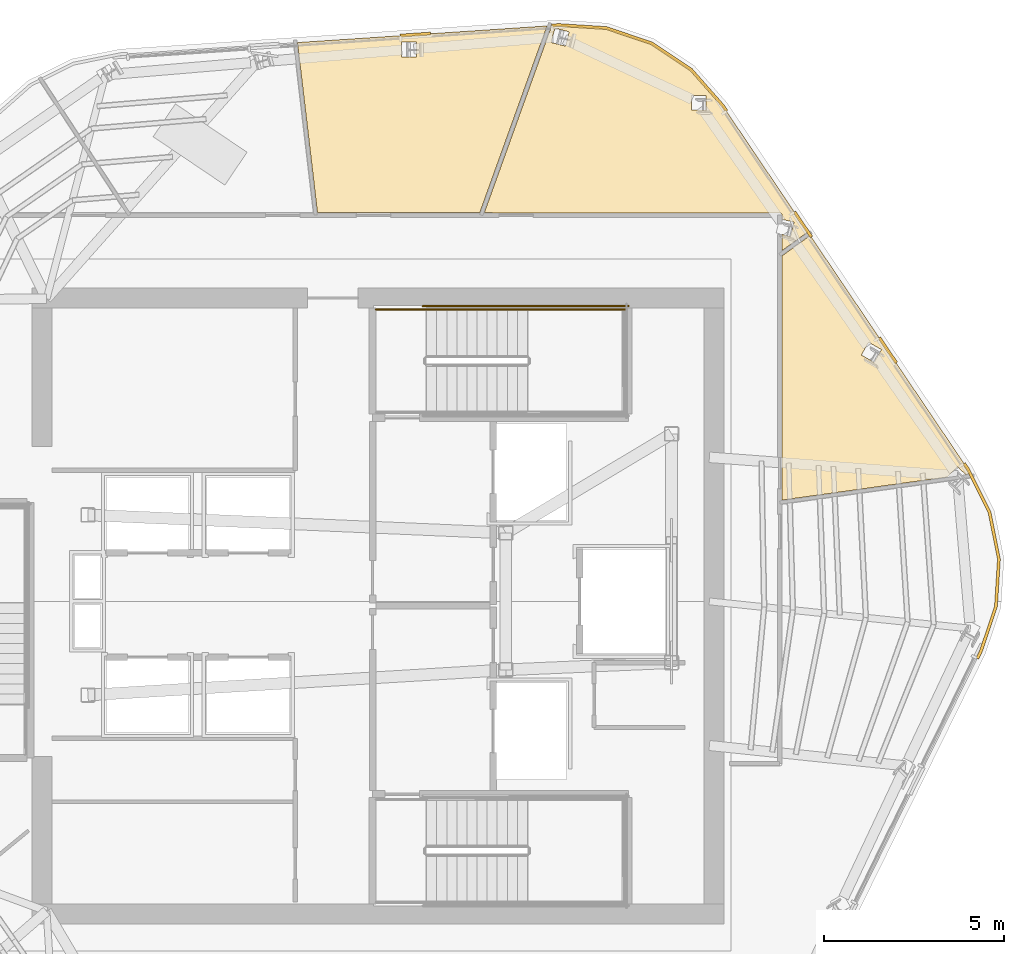
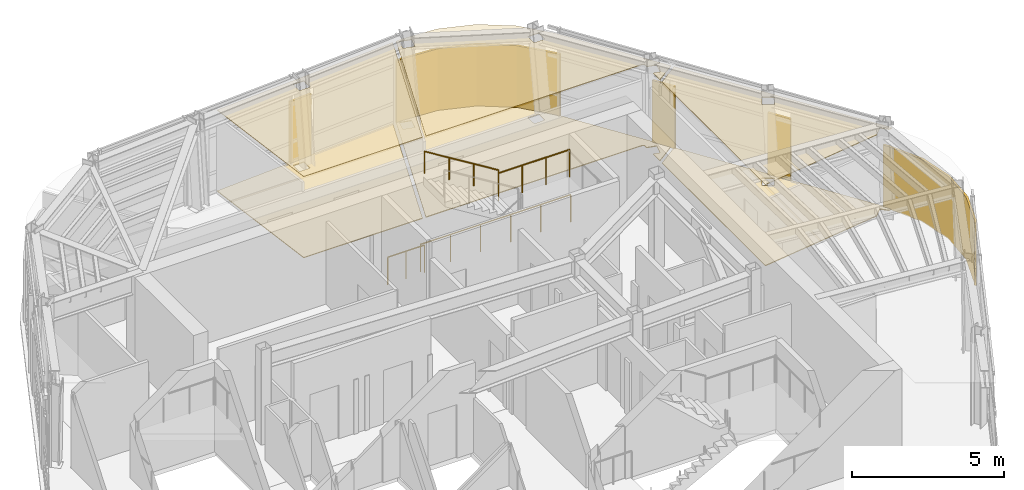
# One storey, part 13 of 14: 11 coverings, 4 railings.
"""IFC4 building model written with IfcOpenShell, lengths in metres."""

from ifc_helpers import new_model, si_unit, direction, frame, origin, origin_2d, place, context, subcontext, project, spatial, polyline, circle, outline, extrude, material, layer, layer_set, type_object, element, save


model = new_model("IFC4")

# Units and contexts
model_context = context("Model", 3, precision=1e-05, world=origin(), true_north=direction((0.0, 1.0)))
body_context = subcontext(model_context, "Body", "Model", "MODEL_VIEW")
ifc_project = project(units=[si_unit("LENGTHUNIT", "METRE"), si_unit("AREAUNIT", "SQUARE_METRE"), si_unit("VOLUMEUNIT", "CUBIC_METRE"), si_unit("PLANEANGLEUNIT", "RADIAN"), si_unit("MASSUNIT", "GRAM", prefix="KILO")], contexts=[model_context])

# Site, building, storey
site_placement = place(None, origin())
site = spatial("IfcSite", under=ifc_project, at=site_placement, CompositionType="ELEMENT")
building_placement = place(site_placement, origin())
building = spatial("IfcBuilding", under=site, at=building_placement, Name="Valkerne Bourse Tower", CompositionType="ELEMENT")
storey_placement = place(building_placement, frame((0.0, 0.0, 300.199951171875)))
storey = spatial("IfcBuildingStorey", under=building, at=storey_placement, Name="L76", CompositionType="ELEMENT", Elevation=300.199951171875)

# Coverings
ifc_material_1 = material(Name="Mineral Fiber Acoustic Ceiling Tile", Category="acoustic")
ifc_layer_1 = layer(ifc_material_1, 0.02490234375)
ifc_layer_set_1 = layer_set([ifc_layer_1], Name="Mineral Fiber Acoustic Ceiling Tile")
covering_type_1 = type_object("IfcCoveringType", Name="COV-CEIL-ACT", PredefinedType="CEILING", material=ifc_layer_set_1)
covering_1_placement = place(storey_placement, frame((0.0, 0.0, 3.25)))
element("IfcCovering", 1, at=covering_1_placement, inside=storey, type_object=covering_type_1, Name="L76 Suspended Ceiling 03", PredefinedType="CEILING", context=body_context, shape_type="SweptSolid", body=[
    extrude(outline(polyline([(58.01904296875, 36.59326171875), (58.798583984375, 37.158203125), (63.181884765625, 30.65869140625), (63.239501953125, 30.54248046875), (63.110107421875, 30.5244140625), (62.88916015625, 30.73974609375), (62.60986328125, 30.454345703125), (58.01904296875, 29.8125), (58.01904296875, 36.59326171875)]), holes=[polyline([(60.775390625, 33.9912109375), (60.419921875, 34.193115234375), (60.218505859375, 33.840087890625), (60.219482421875, 33.837890625), (60.574951171875, 33.63623046875), (60.7763671875, 33.9892578125), (60.775390625, 33.9912109375)])]), origin(), (0.0, 0.0, 1.0), 0.025146484375),
])
covering_2_placement = place(storey_placement, frame((0.0, 0.0, 3.25)))
element("IfcCovering", 2, at=covering_2_placement, inside=storey, type_object=covering_type_1, Name="L76 Suspended Ceiling 07", PredefinedType="CEILING", context=body_context, shape_type="SweptSolid", body=[
    extrude(outline(polyline([(45.12109375, 37.7890625), (44.566162109375, 42.513671875), (51.492431640625, 42.974365234375), (49.62548828125, 37.7890625), (45.12109375, 37.7890625)]), holes=[polyline([(47.86328125, 42.525390625), (47.861083984375, 42.525634765625), (47.455078125, 42.52294921875), (47.45751953125, 42.11376953125), (47.459716796875, 42.113525390625), (47.86572265625, 42.1162109375), (47.86328125, 42.525390625)])]), origin(), (0.0, 0.0, 1.0), 0.025146484375),
])
covering_3_placement = place(storey_placement, frame((0.0, 0.0, 3.25)))
element("IfcCovering", 3, at=covering_3_placement, inside=storey, type_object=covering_type_1, Name="L76 Suspended Ceiling 08", PredefinedType="CEILING", context=body_context, shape_type="SweptSolid", body=[
    extrude(outline(polyline([(54.38916015625, 42.4912109375), (55.48828125, 41.760986328125), (56.3671875, 40.763916015625), (58.732666015625, 37.256103515625), (58.01904296875, 36.739013671875), (58.0185546875, 37.18896484375), (58.25146484375, 37.131591796875), (58.349365234375, 37.526123046875), (58.347900390625, 37.52783203125), (58.018310546875, 37.60888671875), (58.018798828125, 37.724609375), (58.0009765625, 37.766845703125), (57.9599609375, 37.788330078125), (49.7509765625, 37.7890625), (51.620849609375, 42.98291015625), (51.81201171875, 42.99560546875), (53.138427734375, 42.912109375), (54.38916015625, 42.4912109375)]), holes=[polyline([(55.90771484375, 41.048095703125), (55.90576171875, 41.04931640625), (55.4970703125, 41.043212890625), (55.502197265625, 40.63671875), (55.50439453125, 40.635498046875), (55.912841796875, 40.6416015625), (55.90771484375, 41.048095703125)]), polyline([(52.106689453125, 42.810546875), (52.1044921875, 42.811279296875), (51.711181640625, 42.91162109375), (51.60986328125, 42.514892578125), (51.6123046875, 42.514404296875), (52.005615234375, 42.4140625), (52.106689453125, 42.810546875)])]), origin(), (0.0, 0.0, 1.0), 0.025146484375),
])
ifc_material_2 = material(Name="Bronze Anodised Aluminium AA 6063-T6", Category="aluminium")
ifc_layer_2 = layer(ifc_material_2, 0.06005859375)
ifc_layer_set_2 = layer_set([ifc_layer_2], Name="Bronze Anodised Aluminium AA 6063-T6")
covering_type_2 = type_object("IfcCoveringType", Name="COV-CRN-ALUM", PredefinedType="CLADDING", material=ifc_layer_set_2)
covering_4_placement = place(storey_placement, origin())
element("IfcCovering", 4, at=covering_4_placement, inside=storey, type_object=covering_type_2, Name="L76 Wind-Shaped Corner Aluminium Cladding 01", PredefinedType="CLADDING", context=body_context, shape_type="SweptSolid", body=[
    extrude(outline(polyline([(63.814697265625, 29.482666015625), (64.077880859375, 28.177734375), (63.994384765625, 26.849365234375), (63.567626953125, 25.58154296875), (63.47705078125, 25.397705078125), (63.4052734375, 25.432861328125), (63.493408203125, 25.612060546875), (63.9150390625, 26.864990234375), (63.997314453125, 28.17236328125), (63.73828125, 29.45654296875), (63.150634765625, 30.640625), (63.0390625, 30.80615234375), (63.10546875, 30.850830078125), (63.219970703125, 30.680908203125), (63.814697265625, 29.482666015625)])), origin(), (0.0, 0.0, 1.0), 2.5),
])
covering_5_placement = place(storey_placement, origin())
element("IfcCovering", 5, at=covering_5_placement, inside=storey, type_object=covering_type_2, Name="L76 Wind-Shaped Corner Aluminium Cladding 15", PredefinedType="CLADDING", context=body_context, shape_type="SweptSolid", body=[
    extrude(outline(polyline([(48.25439453125, 42.802978515625), (48.260009765625, 42.723388671875), (47.421875, 42.66748046875), (47.416259765625, 42.747314453125), (48.25439453125, 42.802978515625)])), origin(), (0.0, 0.0, 1.0), 2.5),
])
covering_6_placement = place(storey_placement, origin())
element("IfcCovering", 6, at=covering_6_placement, inside=storey, type_object=covering_type_2, Name="L76 Wind-Shaped Corner Aluminium Cladding 16", PredefinedType="CLADDING", context=body_context, shape_type="SweptSolid", body=[
    extrude(outline(polyline([(51.811767578125, 43.039794921875), (53.14697265625, 42.955810546875), (54.40869140625, 42.531005859375), (55.517333984375, 41.79443359375), (56.402099609375, 40.791015625), (56.510009765625, 40.630859375), (56.443603515625, 40.586181640625), (56.338623046875, 40.741943359375), (55.46435546875, 41.733642578125), (54.373046875, 42.458740234375), (53.13134765625, 42.87646484375), (51.81201171875, 42.95947265625), (51.62451171875, 42.947021484375), (51.618896484375, 43.02685546875), (51.811767578125, 43.039794921875)])), origin(), (0.0, 0.0, 1.0), 2.5),
])
covering_7_placement = place(storey_placement, origin())
element("IfcCovering", 7, at=covering_7_placement, inside=storey, type_object=covering_type_2, Name="L76 Wind-Shaped Corner Aluminium Cladding 17", PredefinedType="CLADDING", context=body_context, shape_type="SweptSolid", body=[
    extrude(outline(polyline([(58.864990234375, 37.138671875), (58.798583984375, 37.093994140625), (58.3291015625, 37.790283203125), (58.3955078125, 37.835205078125), (58.864990234375, 37.138671875)])), origin(), (0.0, 0.0, 1.0), 2.5),
])
covering_8_placement = place(storey_placement, origin())
element("IfcCovering", 8, at=covering_8_placement, inside=storey, type_object=covering_type_2, Name="L76 Wind-Shaped Corner Aluminium Cladding 18", PredefinedType="CLADDING", context=body_context, shape_type="SweptSolid", body=[
    extrude(outline(polyline([(61.22021484375, 33.646484375), (61.15380859375, 33.601806640625), (60.68408203125, 34.29833984375), (60.75048828125, 34.343017578125), (61.22021484375, 33.646484375)])), origin(), (0.0, 0.0, 1.0), 2.5),
])
ifc_material_3 = material(Name="Polished Granite Stone", Category="masonry")
ifc_layer_3 = layer(ifc_material_3, 0.030029296875)
ifc_layer_set_3 = layer_set([ifc_layer_3], Name="Polished Granite Stone")
covering_type_3 = type_object("IfcCoveringType", Name="COV-FLR-TERRAZZO", PredefinedType="FLOORING", material=ifc_layer_set_3)
covering_9_placement = place(storey_placement, origin())
element("IfcCovering", 9, at=covering_9_placement, inside=storey, type_object=covering_type_3, Name="L76 Floor Finish 03", PredefinedType="FLOORING", context=body_context, shape_type="SweptSolid", body=[
    extrude(outline(polyline([(58.01904296875, 36.59326171875), (58.798583984375, 37.158203125), (63.181884765625, 30.65869140625), (63.239501953125, 30.54248046875), (63.110107421875, 30.5244140625), (62.88916015625, 30.73974609375), (62.60986328125, 30.454345703125), (58.01904296875, 29.8125), (58.01904296875, 36.59326171875)]), holes=[polyline([(60.775390625, 33.9912109375), (60.419921875, 34.193115234375), (60.218505859375, 33.840087890625), (60.219482421875, 33.837890625), (60.574951171875, 33.63623046875), (60.7763671875, 33.9892578125), (60.775390625, 33.9912109375)])]), origin(), (0.0, 0.0, 1.0), 0.030029296875),
])
covering_10_placement = place(storey_placement, origin())
element("IfcCovering", 10, at=covering_10_placement, inside=storey, type_object=covering_type_3, Name="L76 Floor Finish 07", PredefinedType="FLOORING", context=body_context, shape_type="SweptSolid", body=[
    extrude(outline(polyline([(45.12109375, 37.7890625), (44.566162109375, 42.513671875), (51.492431640625, 42.974365234375), (49.62548828125, 37.7890625), (45.12109375, 37.7890625)]), holes=[polyline([(47.86328125, 42.525390625), (47.861083984375, 42.525634765625), (47.455078125, 42.52294921875), (47.45751953125, 42.11376953125), (47.459716796875, 42.113525390625), (47.86572265625, 42.1162109375), (47.86328125, 42.525390625)])]), origin(), (0.0, 0.0, 1.0), 0.030029296875),
])
covering_11_placement = place(storey_placement, origin())
element("IfcCovering", 11, at=covering_11_placement, inside=storey, type_object=covering_type_3, Name="L76 Floor Finish 08", PredefinedType="FLOORING", context=body_context, shape_type="SweptSolid", body=[
    extrude(outline(polyline([(54.38916015625, 42.4912109375), (55.48828125, 41.760986328125), (56.3671875, 40.763916015625), (58.732666015625, 37.256103515625), (58.01904296875, 36.739013671875), (58.0185546875, 37.18896484375), (58.25146484375, 37.131591796875), (58.349365234375, 37.526123046875), (58.347900390625, 37.52783203125), (58.018310546875, 37.60888671875), (58.018798828125, 37.724609375), (58.0009765625, 37.766845703125), (57.9599609375, 37.788330078125), (49.7509765625, 37.7890625), (51.620849609375, 42.98291015625), (51.81201171875, 42.99560546875), (53.138427734375, 42.912109375), (54.38916015625, 42.4912109375)]), holes=[polyline([(55.90771484375, 41.048095703125), (55.90576171875, 41.04931640625), (55.4970703125, 41.043212890625), (55.502197265625, 40.63671875), (55.50439453125, 40.635498046875), (55.912841796875, 40.6416015625), (55.90771484375, 41.048095703125)]), polyline([(52.106689453125, 42.810546875), (52.1044921875, 42.811279296875), (51.711181640625, 42.91162109375), (51.60986328125, 42.514892578125), (51.6123046875, 42.514404296875), (52.005615234375, 42.4140625), (52.106689453125, 42.810546875)])]), origin(), (0.0, 0.0, 1.0), 0.030029296875),
])

# Railings
ifc_material_4 = material(Name="Galvanised Painted Steel", Category="steel")
railing_type_1 = type_object("IfcRailingType", Name="RLG-ST-GUARD-1120", PredefinedType="GUARDRAIL", material=ifc_material_4)
railing_1_placement = place(storey_placement, frame((50.949951171875, 35.10009765625, 1.900146484375)))
element("IfcRailing", 12, at=railing_1_placement, inside=storey, type_object=railing_type_1, Name="L76 ST-2 stair guard 4", PredefinedType="GUARDRAIL", context=body_context, shape_type="SweptSolid", body=[
    extrude(circle(Radius=0.02392578125, at=origin_2d()), frame((0.0, 0.0, 1.09619140625), z_axis=(1.0, 0.0, 0.0), x_axis=(0.0, 1.0, 0.0)), (0.0, 0.0, 1.0), 2.699951171875),
    extrude(circle(Radius=0.02099609375, at=origin_2d()), origin(), (0.0, 0.0, 1.0), 1.072021484375),
    extrude(circle(Radius=0.02099609375, at=origin_2d()), frame((0.89990234375, 0.0, 0.0)), (0.0, 0.0, 1.0), 1.072021484375),
    extrude(circle(Radius=0.02099609375, at=origin_2d()), frame((1.800048828125, 0.0, 0.0)), (0.0, 0.0, 1.0), 1.072021484375),
    extrude(circle(Radius=0.02099609375, at=origin_2d()), frame((2.699951171875, 0.0, 0.0)), (0.0, 0.0, 1.0), 1.072021484375),
])
railing_2_placement = place(storey_placement, frame((46.75, 35.10009765625, 0.0)))
element("IfcRailing", 13, at=railing_2_placement, inside=storey, type_object=railing_type_1, Name="L76 ST-2 stair guard 9", PredefinedType="GUARDRAIL", context=body_context, shape_type="SweptSolid", body=[
    extrude(circle(Radius=0.02392578125, at=origin_2d()), frame((0.0, 0.0, 1.09619140625), z_axis=(1.0, 0.0, 0.0), x_axis=(0.0, 1.0, 0.0)), (0.0, 0.0, 1.0), 1.39990234375),
    extrude(circle(Radius=0.02099609375, at=origin_2d()), origin(), (0.0, 0.0, 1.0), 1.072021484375),
    extrude(circle(Radius=0.02099609375, at=origin_2d()), frame((0.699951171875, 0.0, 0.0)), (0.0, 0.0, 1.0), 1.072021484375),
    extrude(circle(Radius=0.02099609375, at=origin_2d()), frame((1.39990234375, 0.0, 0.0)), (0.0, 0.0, 1.0), 1.072021484375),
])
railing_3_placement = place(storey_placement, frame((48.050048828125, 35.199951171875, 0.0)))
element("IfcRailing", 14, at=railing_3_placement, inside=storey, type_object=railing_type_1, Name="L76 ST-2 stair guard 11", PredefinedType="GUARDRAIL", context=body_context, shape_type="SweptSolid", body=[
    extrude(circle(Radius=0.02392578125, at=origin_2d()), frame((0.0, 0.0, 1.09619140625), z_axis=(1.0, 0.0, 0.0), x_axis=(0.0, 1.0, 0.0)), (0.0, 0.0, 1.0), 5.699951171875),
    extrude(circle(Radius=0.02099609375, at=origin_2d()), origin(), (0.0, 0.0, 1.0), 1.072021484375),
    extrude(circle(Radius=0.02099609375, at=origin_2d()), frame((1.139892578125, 0.0, 0.0)), (0.0, 0.0, 1.0), 1.072021484375),
    extrude(circle(Radius=0.02099609375, at=origin_2d()), frame((2.280029296875, 0.0, 0.0)), (0.0, 0.0, 1.0), 1.072021484375),
    extrude(circle(Radius=0.02099609375, at=origin_2d()), frame((3.419921875, 0.0, 0.0)), (0.0, 0.0, 1.0), 1.072021484375),
    extrude(circle(Radius=0.02099609375, at=origin_2d()), frame((4.56005859375, 0.0, 0.0)), (0.0, 0.0, 1.0), 1.072021484375),
    extrude(circle(Radius=0.02099609375, at=origin_2d()), frame((5.699951171875, 0.0, 0.0)), (0.0, 0.0, 1.0), 1.072021484375),
])
ifc_material_5 = material(Name="Stainless Steel AISI 316", Category="steel")
railing_type_2 = type_object("IfcRailingType", Name="RLG-ST-HANDRAIL-900", PredefinedType="HANDRAIL", material=ifc_material_5)
railing_4_placement = place(storey_placement, frame((50.949951171875, 35.10009765625, 2.24560546875)))
element("IfcRailing", 15, at=railing_4_placement, inside=storey, type_object=railing_type_2, Name="L76 ST-2 stair handrail 2", PredefinedType="HANDRAIL", context=body_context, shape_type="SweptSolid", body=[
    extrude(circle(Radius=0.02392578125, at=origin_2d()), frame((0.0, 0.0, 0.8759765625), z_axis=(-0.851122791225, 0.0, 0.524966660138), x_axis=(0.0, -1.0, 0.0)), (0.0, 0.0, 1.0), 3.289794921875),
    extrude(circle(Radius=0.02099609375, at=origin_2d()), origin(), (0.0, 0.0, 1.0), 0.851806640625),
    extrude(circle(Radius=0.02099609375, at=origin_2d()), frame((-0.933349609375, 0.0, 0.57568359375)), (0.0, 0.0, 1.0), 0.851806640625),
    extrude(circle(Radius=0.02099609375, at=origin_2d()), frame((-1.86669921875, 0.0, 1.1513671875)), (0.0, 0.0, 1.0), 0.851806640625),
    extrude(circle(Radius=0.02099609375, at=origin_2d()), frame((-2.800048828125, 0.0, 1.72705078125)), (0.0, 0.0, 1.0), 0.851806640625),
])

save(model, "model.ifc")
